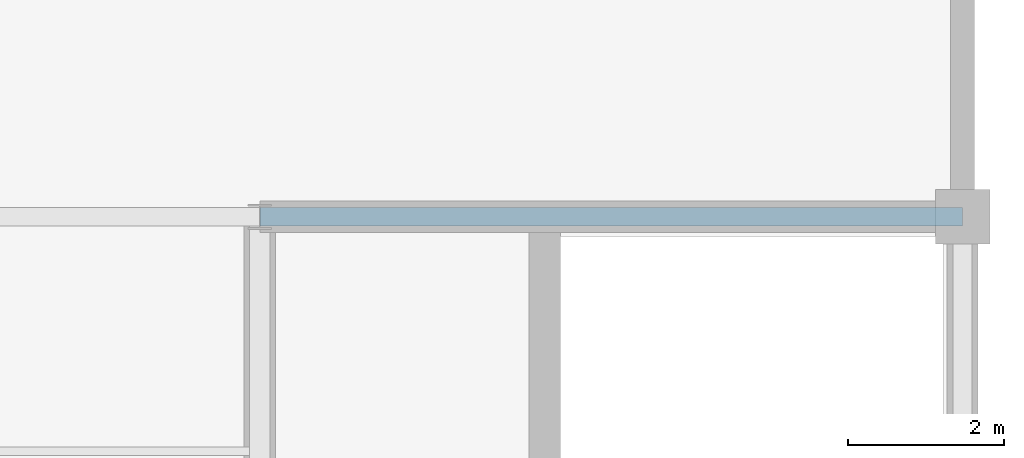
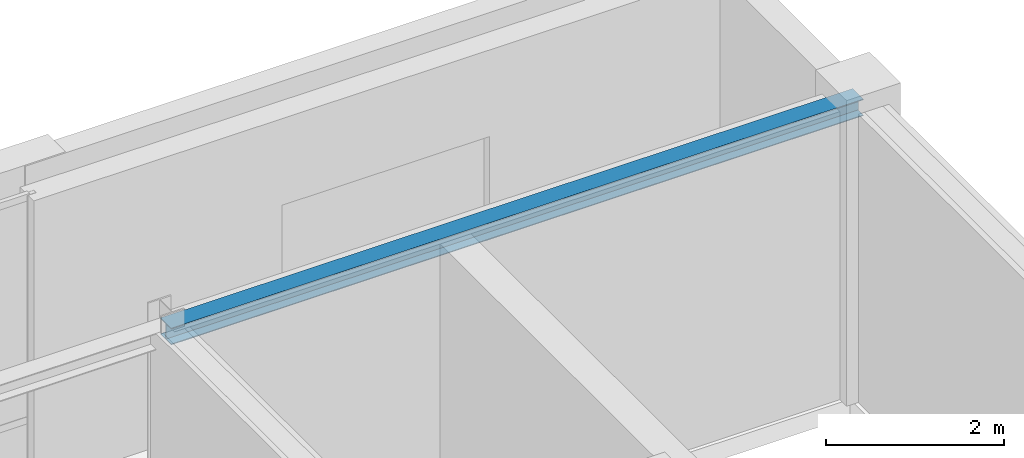
# One storey, part 18 of 36: 1 beam.
"""IFC4 building model written with IfcOpenShell, lengths in metres."""

from ifc_helpers import new_model, si_unit, direction, frame, origin, origin_2d, place, context, subcontext, project, spatial, i_section, extrude, material, material_profile, profile_set, type_object, element, save


model = new_model("IFC4")

# Units and contexts
model_context = context("Model", 3, precision=1e-05, world=origin(), true_north=direction((0.0, 1.0)))
body_context = subcontext(model_context, "Body", "Model", "MODEL_VIEW")
ifc_project = project(units=[si_unit("LENGTHUNIT", "METRE"), si_unit("AREAUNIT", "SQUARE_METRE"), si_unit("VOLUMEUNIT", "CUBIC_METRE"), si_unit("PLANEANGLEUNIT", "RADIAN"), si_unit("MASSUNIT", "GRAM", prefix="KILO")], contexts=[model_context])

# Site, building, storey
site_placement = place(None, origin())
site = spatial("IfcSite", under=ifc_project, at=site_placement, CompositionType="ELEMENT")
building_placement = place(site_placement, origin())
building = spatial("IfcBuilding", under=site, at=building_placement, Name="Lykobir Media Centre", CompositionType="ELEMENT")
storey_placement = place(building_placement, frame((0.0, 0.0, 27.60009765625)))
storey = spatial("IfcBuildingStorey", under=building, at=storey_placement, Name="L06", CompositionType="ELEMENT", Elevation=27.60009765625)

# Beam
ifc_material = material(Name="Steel S355", Category="steel")
ifc_material_profile = material_profile(ifc_material, i_section(OverallWidth=0.239990234375, OverallDepth=0.22998046875, WebThickness=0.007568359375, FlangeThickness=0.011962890625, at=origin_2d()), Name="HEA 240")
ifc_profile_set = profile_set([ifc_material_profile], Name="Steel S355")
beam_type = type_object("IfcBeamType", Name="SP-HEA240", PredefinedType="SPANDREL", material=ifc_profile_set)
beam_placement = place(storey_placement, frame((72.0, 18.0, 3.844970703125), z_axis=(1.0, 0.0, 0.0), x_axis=(0.0, 1.0, 0.0)))
element("IfcBeam", 1, at=beam_placement, inside=storey, type_object=beam_type, Name="Beam BM-L06-0720-0180-0810-0180-3144", PredefinedType="SPANDREL", context=body_context, shape_type="SweptSolid", body=[
    extrude(i_section(OverallWidth=0.239990234375, OverallDepth=0.22998046875, WebThickness=0.007568359375, FlangeThickness=0.011962890625, at=origin_2d()), origin(), (0.0, 0.0, 1.0), 9.0),
])

save(model, "model.ifc")
